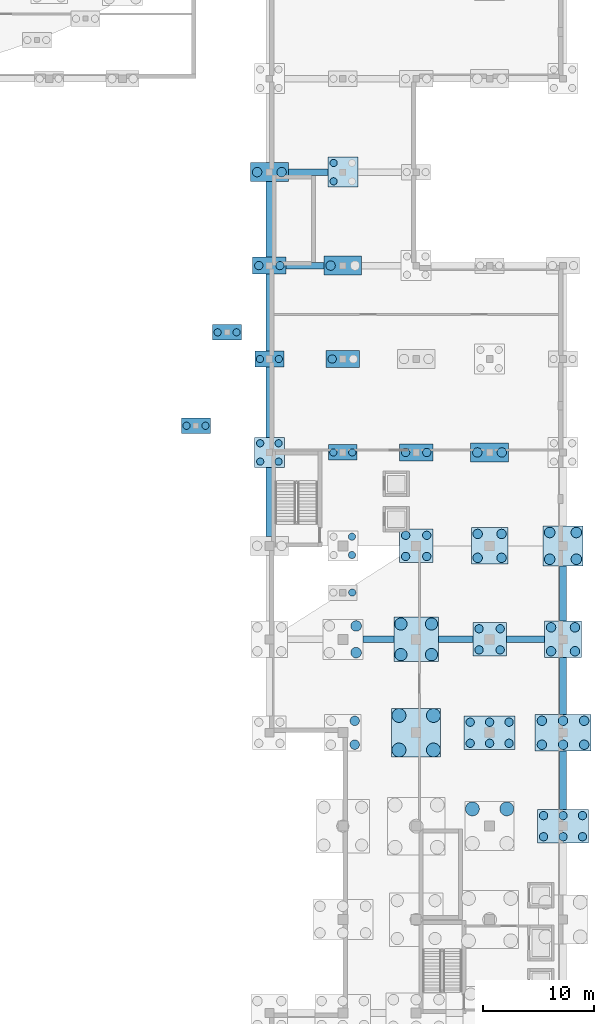
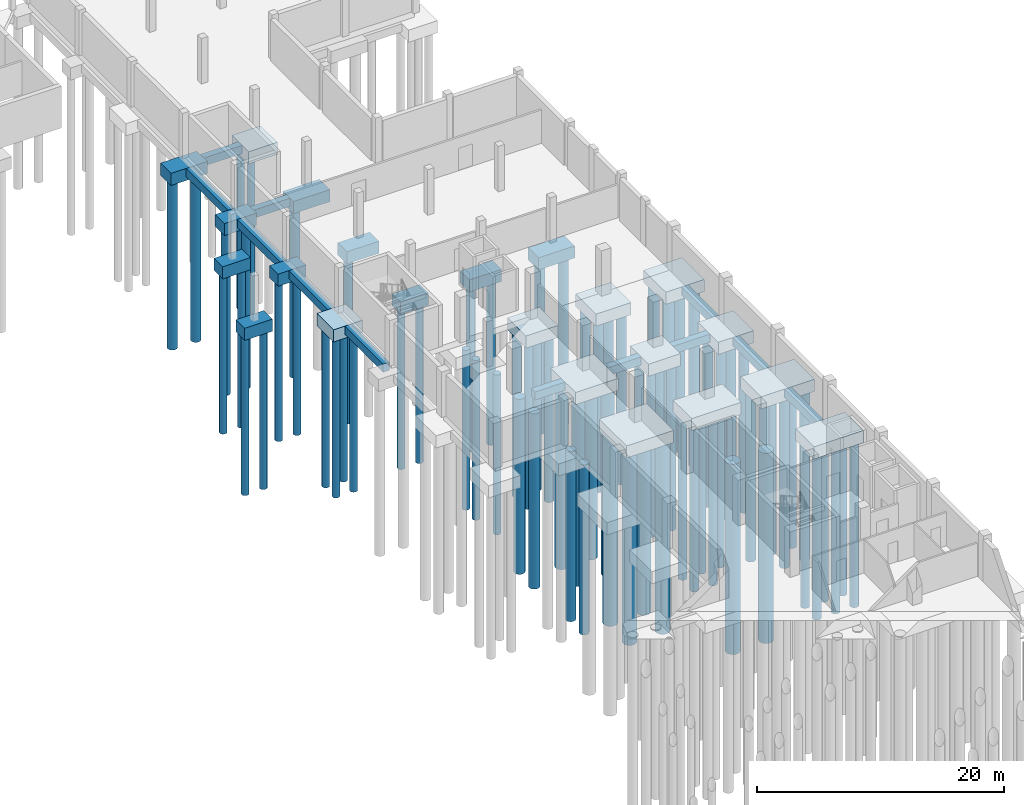
# One storey, part 7 of 25: 79 piles, 34 footings.
"""IFC4 building model written with IfcOpenShell, lengths in metres."""

import ifcopenshell
import ifcopenshell.guid

model = None  # the IFC model being written
_history = None  # IfcOwnerHistory: only IFC2X3 demands one
_inside = {}  # id of a spatial element -> (the spatial element, [elements in it])
_under = {}  # id of a project, library or spatial element -> (it, [spatial elements below it])
_declared = {}  # id of a project -> (the project, [libraries it declares])
_typed = {}  # id of a type object -> (the type object, [elements of that type])
_made_of = {}  # id of a material, layer set ... -> (it, [elements and type objects made of it])


def new_model(schema):
    """Start an empty IFC model of exactly this schema.

    Asked for "IFC4X3", IfcOpenShell would pick the latest addendum, in which some entities
    have other attributes; the version numbers below select the first issue.
    IFC2X3 requires an IfcOwnerHistory on every rooted entity: one is made here for all.
    """
    global model, _history
    if schema == "IFC4X3":
        model = ifcopenshell.file(schema_version=(4, 3, 0, 0))
    else:
        model = ifcopenshell.file(schema=schema)
    _inside.clear()
    _under.clear()
    _declared.clear()
    _typed.clear()
    _made_of.clear()
    _history = None
    if model.schema == "IFC2X3":
        org = make("IfcOrganization", Name="unknown")
        user = make(
            "IfcPersonAndOrganization",
            ThePerson=make("IfcPerson", FamilyName="unknown"),
            TheOrganization=org,
        )
        app = make(
            "IfcApplication",
            ApplicationDeveloper=org,
            Version="unknown",
            ApplicationFullName="unknown",
            ApplicationIdentifier="unknown",
        )
        _history = make(
            "IfcOwnerHistory",
            OwningUser=user,
            OwningApplication=app,
            ChangeAction="ADDED",
            CreationDate=0,
        )
    return model


def make(cls, **values):
    """One entity of the class cls with the attributes given. An attribute that is None is left unset."""
    return model.create_entity(
        cls, **{name: value for name, value in values.items() if value is not None}
    )


def rooted(cls, **values):
    """An entity with a GlobalId (a new one), such as an element, a storey or a relation."""
    return make(cls, GlobalId=ifcopenshell.guid.new(), OwnerHistory=_history, **values)


def si_unit(unit_type, name, prefix=None):
    """IfcSIUnit, for example si_unit("LENGTHUNIT", "METRE", prefix="MILLI")."""
    return make("IfcSIUnit", UnitType=unit_type, Prefix=prefix, Name=name)


def assignment(units):
    """IfcUnitAssignment: the units of a project."""
    return None if units is None else make("IfcUnitAssignment", Units=units)


def point(xyz):
    """IfcCartesianPoint."""
    return None if xyz is None else make("IfcCartesianPoint", Coordinates=xyz)


def direction(xyz):
    """IfcDirection."""
    return None if xyz is None else make("IfcDirection", DirectionRatios=xyz)


def frame(location, z_axis=None, x_axis=None):
    """IfcAxis2Placement3D, a coordinate frame: its origin and axes. An axis left out is left unset."""
    return make(
        "IfcAxis2Placement3D",
        Location=point(location),
        Axis=direction(z_axis),
        RefDirection=direction(x_axis),
    )


def frame_2d(location, x_axis=None):
    """IfcAxis2Placement2D, a coordinate frame in the plane: its origin and x axis."""
    return make(
        "IfcAxis2Placement2D", Location=point(location), RefDirection=direction(x_axis)
    )


def origin():
    """The frame at (0, 0, 0) with its axes left unset."""
    return frame((0.0, 0.0, 0.0))


def origin_2d():
    """The frame at (0, 0) in the plane with its x axis left unset."""
    return frame_2d((0.0, 0.0))


def place(relative_to, where):
    """IfcLocalPlacement: puts the frame where relative to a parent placement (None: the world)."""
    return make(
        "IfcLocalPlacement", PlacementRelTo=relative_to, RelativePlacement=where
    )


def context(
    kind, dimensions, precision=None, world=None, true_north=None, identifier=None
):
    """IfcGeometricRepresentationContext, for example the 3D "Model" context."""
    return make(
        "IfcGeometricRepresentationContext",
        ContextIdentifier=identifier,
        ContextType=kind,
        CoordinateSpaceDimension=dimensions,
        Precision=precision,
        WorldCoordinateSystem=world,
        TrueNorth=true_north,
    )


def subcontext(parent, identifier, kind, view, scale=None):
    """IfcGeometricRepresentationSubContext, for example "Body" below "Model"."""
    return make(
        "IfcGeometricRepresentationSubContext",
        ContextIdentifier=identifier,
        ContextType=kind,
        ParentContext=parent,
        TargetScale=scale,
        TargetView=view,
    )


def project(units=None, contexts=None):
    """IfcProject with its units and contexts."""
    return rooted(
        "IfcProject",
        Name="project",
        RepresentationContexts=contexts,
        UnitsInContext=assignment(units),
    )


def spatial(cls, under=None, at=None, **own):
    """A site, building, storey or space (cls), placed at a placement, below another one or the project."""
    s = rooted(cls, ObjectPlacement=at, **own)
    if under is not None:
        _under.setdefault(under.id(), (under, []))[1].append(s)
    return s


def profile(cls, at=None, kind="AREA", **sizes):
    """A parametric profile (cls). Its sizes go by their IFC names, for example OverallWidth=200.0."""
    return make(cls, ProfileType=kind, Position=at, **sizes)


def rectangle(**sizes):
    """IfcRectangleProfileDef."""
    return profile("IfcRectangleProfileDef", **sizes)


def circle(**sizes):
    """IfcCircleProfileDef."""
    return profile("IfcCircleProfileDef", **sizes)


def extrude(swept, where, along, depth):
    """IfcExtrudedAreaSolid: the profile swept, set in the frame where, extruded along a direction by depth."""
    return make(
        "IfcExtrudedAreaSolid",
        SweptArea=swept,
        Position=where,
        ExtrudedDirection=direction(along),
        Depth=depth,
    )


def shape(context_of_items, identifier, shape_type, items):
    """IfcShapeRepresentation: the items that make up one representation, for example the "Body"."""
    return make(
        "IfcShapeRepresentation",
        ContextOfItems=context_of_items,
        RepresentationIdentifier=identifier,
        RepresentationType=shape_type,
        Items=items,
    )


def material(Name=None, Category=None):
    """IfcMaterial."""
    return make("IfcMaterial", Name=Name, Category=Category)


def layer(
    of_material, thickness, ventilated=None, Name=None, Category=None, Priority=None
):
    """IfcMaterialLayer: one layer of a wall or slab, of a material (None: an air gap)."""
    return make(
        "IfcMaterialLayer",
        Material=of_material,
        LayerThickness=thickness,
        IsVentilated=ventilated,
        Name=Name,
        Category=Category,
        Priority=Priority,
    )


def layer_set(layers, Name=None):
    """IfcMaterialLayerSet."""
    return make("IfcMaterialLayerSet", MaterialLayers=layers, LayerSetName=Name)


def material_profile(
    of_material, cross_section, Name=None, Category=None, Priority=None
):
    """IfcMaterialProfile: a cross section and its material."""
    return make(
        "IfcMaterialProfile",
        Name=Name,
        Material=of_material,
        Profile=cross_section,
        Priority=Priority,
        Category=Category,
    )


def profile_set(profiles, Name=None, composite=None):
    """IfcMaterialProfileSet."""
    return make(
        "IfcMaterialProfileSet",
        Name=Name,
        MaterialProfiles=profiles,
        CompositeProfile=composite,
    )


def made_of(thing, what):
    """Note that an element or type object is made of a material, layer set ...; save() writes the relation."""
    if what is not None:
        _made_of.setdefault(what.id(), (what, []))[1].append(thing)
    return thing


def type_object(cls, material=None, **own):
    """A type object (cls), such as IfcWallType, which elements share."""
    return made_of(rooted(cls, **own), material)


def element(
    cls,
    number,
    at=None,
    inside=None,
    cuts=None,
    type_object=None,
    material=None,
    context=None,
    identifier="Body",
    shape_type=None,
    held_by="IfcProductDefinitionShape",
    body=None,
    shapes=None,
    **own,
):
    """One element of the class cls, such as IfcWall. Its Tag is "e" and its number.

    at: its placement. inside: the storey or other place that contains it. cuts: it is an
    opening in that element (IfcRelVoidsElement). A single representation is given by context,
    identifier, shape_type and body (its items); several are given by shapes. held_by: the class
    of the entity that holds the representations. save() writes the other relations.
    """
    e = rooted(cls, Tag="e%d" % number, ObjectPlacement=at, **own)
    if body is not None:
        shapes = [shape(context, identifier, shape_type, body)]
    if shapes is not None:
        e.Representation = make(held_by, Representations=shapes)
    if inside is not None:
        _inside.setdefault(inside.id(), (inside, []))[1].append(e)
    if cuts is not None:
        rooted(
            "IfcRelVoidsElement", RelatingBuildingElement=cuts, RelatedOpeningElement=e
        )
    if type_object is not None:
        _typed.setdefault(type_object.id(), (type_object, []))[1].append(e)
    return made_of(e, material)


def aggregate(whole, parts):
    """IfcRelAggregates: a whole, such as a stair, and the parts it consists of."""
    return rooted("IfcRelAggregates", RelatingObject=whole, RelatedObjects=parts)


def save(model, path):
    """Write the relations noted so far, then the file.

    IfcRelAggregates (storeys below a building ...), IfcRelContainedInSpatialStructure (elements
    in a storey), IfcRelDefinesByType, IfcRelAssociatesMaterial and IfcRelDeclares: one each for
    every whole, place, type object, material and project.
    """
    for whole, parts in _under.values():
        aggregate(whole, parts)
    for where, things in _inside.values():
        rooted(
            "IfcRelContainedInSpatialStructure",
            RelatedElements=things,
            RelatingStructure=where,
        )
    for kind, things in _typed.values():
        rooted("IfcRelDefinesByType", RelatedObjects=things, RelatingType=kind)
    for what, things in _made_of.values():
        rooted("IfcRelAssociatesMaterial", RelatedObjects=things, RelatingMaterial=what)
    for by, libraries in _declared.values():
        rooted("IfcRelDeclares", RelatingContext=by, RelatedDefinitions=libraries)
    model.write(path)


model = new_model("IFC4")

# Units and contexts
model_context = context("Model", 3, precision=1e-05, world=origin(), true_north=direction((0.0, 1.0)))
body_context = subcontext(model_context, "Body", "Model", "MODEL_VIEW")
ifc_project = project(units=[si_unit("LENGTHUNIT", "METRE"), si_unit("AREAUNIT", "SQUARE_METRE"), si_unit("VOLUMEUNIT", "CUBIC_METRE"), si_unit("PLANEANGLEUNIT", "RADIAN"), si_unit("MASSUNIT", "GRAM", prefix="KILO")], contexts=[model_context])

# Site, building, storey
site_placement = place(None, origin())
site = spatial("IfcSite", under=ifc_project, at=site_placement, CompositionType="ELEMENT")
building_placement = place(site_placement, origin())
building = spatial("IfcBuilding", under=site, at=building_placement, Name="Qaldarim Faculty of Natural and Applied Sciences", CompositionType="ELEMENT")
storey_placement = place(building_placement, frame((0.0, 0.0, -4.5)))
storey = spatial("IfcBuildingStorey", under=building, at=storey_placement, Name="B01", CompositionType="ELEMENT", Elevation=-4.5)

# Piles
ifc_material = material(Name="Concrete C40/50", Category="concrete")
ifc_material_profile_1 = material_profile(ifc_material, circle(Radius=0.550048828125, at=origin_2d()), Name="PILE-D1100")
ifc_profile_set_1 = profile_set([ifc_material_profile_1], Name="Concrete C40/50")
pile_type_1 = type_object("IfcPileType", Name="BoredPile-D1100-L18300", PredefinedType="BORED", material=ifc_profile_set_1)
for number, where, z_axis, x_axis, name in (
    (1, (163.625, 49.02490234375, -1.699951171875), (0.0, 0.0, -1.0), (1.0, 0.0, 0.0), "Bored pile PL05 1 under FTG-PC08-X26Y07"),
    (2, (163.625, 51.77490234375, -1.699951171875), (0.0, 0.0, -1.0), (1.0, 0.0, 0.0), "Bored pile PL05 2 under FTG-PC08-X26Y07"),
    (3, (166.375, 49.02490234375, -1.699951171875), (0.0, 0.0, -1.0), (1.0, 0.0, 0.0), "Bored pile PL05 3 under FTG-PC08-X26Y07"),
    (4, (166.375, 51.77490234375, -1.699951171875), (0.0, 0.0, -1.0), (1.0, 0.0, 0.0), "Bored pile PL05 4 under FTG-PC08-X26Y07"),
):
    element("IfcPile", number, at=place(storey_placement, frame(where, z_axis=z_axis, x_axis=x_axis)), inside=storey, type_object=pile_type_1, Name=name, PredefinedType="BORED", context=body_context, shape_type="SweptSolid", body=[
        extrude(circle(Radius=0.550048828125, at=origin_2d()), origin(), (0.0, 0.0, 1.0), 18.300048828125),
    ])
ifc_material_profile_2 = material_profile(ifc_material, circle(Radius=0.625, at=origin_2d()), Name="PILE-D1250")
ifc_profile_set_2 = profile_set([ifc_material_profile_2], Name="Concrete C40/50")
pile_type_2 = type_object("IfcPileType", Name="BoredPile-D1250-L18800", PredefinedType="BORED", material=ifc_profile_set_2)
for number, where, z_axis, x_axis, name in (
    (5, (163.449951171875, 40.449951171875, -1.699951171875), (0.0, 0.0, -1.0), (1.0, 0.0, 0.0), "Bored pile PL06 1 under FTG-PC09-X26Y06"),
    (6, (163.449951171875, 43.550048828125, -1.699951171875), (0.0, 0.0, -1.0), (1.0, 0.0, 0.0), "Bored pile PL06 2 under FTG-PC09-X26Y06"),
    (7, (166.550048828125, 40.449951171875, -1.699951171875), (0.0, 0.0, -1.0), (1.0, 0.0, 0.0), "Bored pile PL06 3 under FTG-PC09-X26Y06"),
    (8, (166.550048828125, 43.550048828125, -1.699951171875), (0.0, 0.0, -1.0), (1.0, 0.0, 0.0), "Bored pile PL06 4 under FTG-PC09-X26Y06"),
    (9, (170.050048828125, 35.14990234375, -1.699951171875), (0.0, 0.0, -1.0), (1.0, 0.0, 0.0), "Bored pile PL06 2 under FTG-PC09-X27Y05"),
    (10, (173.14990234375, 35.14990234375, -1.699951171875), (0.0, 0.0, -1.0), (1.0, 0.0, 0.0), "Bored pile PL06 4 under FTG-PC09-X27Y05"),
):
    element("IfcPile", number, at=place(storey_placement, frame(where, z_axis=z_axis, x_axis=x_axis)), inside=storey, type_object=pile_type_2, Name=name, PredefinedType="BORED", context=body_context, shape_type="SweptSolid", body=[
        extrude(circle(Radius=0.625, at=origin_2d()), origin(), (0.0, 0.0, 1.0), 18.800048828125),
    ])
ifc_material_profile_3 = material_profile(ifc_material, circle(Radius=0.324951171875, at=origin_2d()), Name="PILE-D650")
ifc_profile_set_3 = profile_set([ifc_material_profile_3], Name="Concrete C40/50")
pile_type_3 = type_object("IfcPileType", Name="BoredPile-D650-L15800", PredefinedType="BORED", material=ifc_profile_set_3)
for number, where, z_axis, x_axis, name in (
    (11, (150.97509765625, 66.375, -1.699951171875), (0.0, 0.0, -1.0), (1.0, 0.0, 0.0), "Bored pile PL01 1 under FTG-PC04-X24Y09"),
    (12, (150.97509765625, 68.02490234375, -1.699951171875), (0.0, 0.0, -1.0), (1.0, 0.0, 0.0), "Bored pile PL01 2 under FTG-PC04-X24Y09"),
    (13, (152.625, 66.375, -1.699951171875), (0.0, 0.0, -1.0), (1.0, 0.0, 0.0), "Bored pile PL01 3 under FTG-PC04-X24Y09"),
    (14, (152.625, 68.02490234375, -1.699951171875), (0.0, 0.0, -1.0), (1.0, 0.0, 0.0), "Bored pile PL01 4 under FTG-PC04-X24Y09"),
    (15, (150.949951171875, 75.60009765625, -1.699951171875), (0.0, 0.0, -1.0), (1.0, 0.0, 0.0), "Bored pile PL01 1 under FTG-PC01-X24Y10"),
    (16, (152.64990234375, 75.60009765625, -1.699951171875), (0.0, 0.0, -1.0), (1.0, 0.0, 0.0), "Bored pile PL01 2 under FTG-PC01-X24Y10"),
    (17, (159.22509765625, 57.97509765625, -1.699951171875), (0.0, 0.0, -1.0), (1.0, 0.0, 0.0), "Bored pile PL01 3 under FTG-PC04-X25Y08"),
    (18, (159.22509765625, 59.625, -1.699951171875), (0.0, 0.0, -1.0), (1.0, 0.0, 0.0), "Bored pile PL01 4 under FTG-PC04-X25Y08"),
    (19, (157.550048828125, 67.199951171875, -1.699951171875), (0.0, 0.0, -1.0), (1.0, 0.0, 0.0), "Bored pile PL01 1 under FTG-PC01-X25Y09"),
    (20, (159.25, 67.199951171875, -1.699951171875), (0.0, 0.0, -1.0), (1.0, 0.0, 0.0), "Bored pile PL01 2 under FTG-PC01-X25Y09"),
    (21, (157.574951171875, 91.574951171875, -1.699951171875), (0.0, 0.0, -1.0), (1.0, 0.0, 0.0), "Bored pile PL01 1 under FTG-PC04-X25Y12"),
    (22, (157.574951171875, 93.22509765625, -1.699951171875), (0.0, 0.0, -1.0), (1.0, 0.0, 0.0), "Bored pile PL01 2 under FTG-PC04-X25Y12"),
    (23, (159.25, 54.60009765625, -1.10009765625), (0.0, 0.0, -1.0), (1.0, 0.0, 0.0), "Bored pile PL01 2 under FTG-SPC-V5-NW6"),
    (24, (144.35009765625, 69.60009765625, -1.10009765625), (0.0, 0.0, -1.0), (1.0, 0.0, 0.0), "Bored pile PL01 1 under FTG-SPC-V3-PRW-S"),
    (25, (146.050048828125, 69.60009765625, -1.10009765625), (0.0, 0.0, -1.0), (1.0, 0.0, 0.0), "Bored pile PL01 2 under FTG-SPC-V3-PRW-S"),
    (26, (147.14990234375, 78.0, -1.10009765625), (0.0, 0.0, -1.0), (1.0, 0.0, 0.0), "Bored pile PL01 1 under FTG-SPC-V3-PRW-N"),
    (27, (148.85009765625, 78.0, -1.10009765625), (0.0, 0.0, -1.0), (1.0, 0.0, 0.0), "Bored pile PL01 2 under FTG-SPC-V3-PRW-N"),
):
    element("IfcPile", number, at=place(storey_placement, frame(where, z_axis=z_axis, x_axis=x_axis)), inside=storey, type_object=pile_type_3, Name=name, PredefinedType="BORED", context=body_context, shape_type="SweptSolid", body=[
        extrude(circle(Radius=0.324951171875, at=origin_2d()), origin(), (0.0, 0.0, 1.0), 15.800048828125),
    ])
ifc_material_profile_4 = material_profile(ifc_material, circle(Radius=0.375, at=origin_2d()), Name="PILE-D750")
ifc_profile_set_4 = profile_set([ifc_material_profile_4], Name="Concrete C40/50")
pile_type_4 = type_object("IfcPileType", Name="BoredPile-D750-L16300", PredefinedType="BORED", material=ifc_profile_set_4)
for number, where, z_axis, x_axis, name in (
    (28, (150.85009765625, 84.0, -1.699951171875), (0.0, 0.0, -1.0), (1.0, 0.0, 0.0), "Bored pile PL02 1 under FTG-PC02-X24Y11"),
    (29, (152.75, 84.0, -1.699951171875), (0.0, 0.0, -1.0), (1.0, 0.0, 0.0), "Bored pile PL02 2 under FTG-PC02-X24Y11"),
    (30, (157.449951171875, 75.60009765625, -1.699951171875), (0.0, 0.0, -1.0), (1.0, 0.0, 0.0), "Bored pile PL02 1 under FTG-PC02-X25Y10"),
    (31, (164.050048828125, 57.85009765625, -1.699951171875), (0.0, 0.0, -1.0), (1.0, 0.0, 0.0), "Bored pile PL02 1 under FTG-PC05-X26Y08"),
    (32, (164.050048828125, 59.75, -1.699951171875), (0.0, 0.0, -1.0), (1.0, 0.0, 0.0), "Bored pile PL02 2 under FTG-PC05-X26Y08"),
    (33, (165.949951171875, 57.85009765625, -1.699951171875), (0.0, 0.0, -1.0), (1.0, 0.0, 0.0), "Bored pile PL02 3 under FTG-PC05-X26Y08"),
    (34, (165.949951171875, 59.75, -1.699951171875), (0.0, 0.0, -1.0), (1.0, 0.0, 0.0), "Bored pile PL02 4 under FTG-PC05-X26Y08"),
    (35, (164.050048828125, 67.199951171875, -1.699951171875), (0.0, 0.0, -1.0), (1.0, 0.0, 0.0), "Bored pile PL02 1 under FTG-PC02-X26Y09"),
    (36, (165.949951171875, 67.199951171875, -1.699951171875), (0.0, 0.0, -1.0), (1.0, 0.0, 0.0), "Bored pile PL02 2 under FTG-PC02-X26Y09"),
    (37, (169.85009765625, 41.050048828125, -1.699951171875), (0.0, 0.0, -1.0), (1.0, 0.0, 0.0), "Bored pile PL02 1 under FTG-PC10-X27Y06"),
    (38, (171.60009765625, 41.050048828125, -1.699951171875), (0.0, 0.0, -1.0), (1.0, 0.0, 0.0), "Bored pile PL02 2 under FTG-PC10-X27Y06"),
    (39, (173.35009765625, 41.050048828125, -1.699951171875), (0.0, 0.0, -1.0), (1.0, 0.0, 0.0), "Bored pile PL02 3 under FTG-PC10-X27Y06"),
    (40, (169.85009765625, 42.949951171875, -1.699951171875), (0.0, 0.0, -1.0), (1.0, 0.0, 0.0), "Bored pile PL02 4 under FTG-PC10-X27Y06"),
    (41, (171.60009765625, 42.949951171875, -1.699951171875), (0.0, 0.0, -1.0), (1.0, 0.0, 0.0), "Bored pile PL02 5 under FTG-PC10-X27Y06"),
    (42, (173.35009765625, 42.949951171875, -1.699951171875), (0.0, 0.0, -1.0), (1.0, 0.0, 0.0), "Bored pile PL02 6 under FTG-PC10-X27Y06"),
    (43, (170.64990234375, 49.449951171875, -1.699951171875), (0.0, 0.0, -1.0), (1.0, 0.0, 0.0), "Bored pile PL02 1 under FTG-PC05-X27Y07"),
    (44, (170.64990234375, 51.35009765625, -1.699951171875), (0.0, 0.0, -1.0), (1.0, 0.0, 0.0), "Bored pile PL02 2 under FTG-PC05-X27Y07"),
    (45, (172.550048828125, 49.449951171875, -1.699951171875), (0.0, 0.0, -1.0), (1.0, 0.0, 0.0), "Bored pile PL02 3 under FTG-PC05-X27Y07"),
    (46, (172.550048828125, 51.35009765625, -1.699951171875), (0.0, 0.0, -1.0), (1.0, 0.0, 0.0), "Bored pile PL02 4 under FTG-PC05-X27Y07"),
    (47, (176.449951171875, 32.64990234375, -1.699951171875), (0.0, 0.0, -1.0), (1.0, 0.0, 0.0), "Bored pile PL02 1 under FTG-PC10-X28Y05"),
    (48, (178.199951171875, 32.64990234375, -1.699951171875), (0.0, 0.0, -1.0), (1.0, 0.0, 0.0), "Bored pile PL02 2 under FTG-PC10-X28Y05"),
    (49, (179.949951171875, 32.64990234375, -1.699951171875), (0.0, 0.0, -1.0), (1.0, 0.0, 0.0), "Bored pile PL02 3 under FTG-PC10-X28Y05"),
    (50, (176.449951171875, 34.550048828125, -1.699951171875), (0.0, 0.0, -1.0), (1.0, 0.0, 0.0), "Bored pile PL02 4 under FTG-PC10-X28Y05"),
    (51, (178.199951171875, 34.550048828125, -1.699951171875), (0.0, 0.0, -1.0), (1.0, 0.0, 0.0), "Bored pile PL02 5 under FTG-PC10-X28Y05"),
    (52, (179.949951171875, 34.550048828125, -1.699951171875), (0.0, 0.0, -1.0), (1.0, 0.0, 0.0), "Bored pile PL02 6 under FTG-PC10-X28Y05"),
):
    element("IfcPile", number, at=place(storey_placement, frame(where, z_axis=z_axis, x_axis=x_axis)), inside=storey, type_object=pile_type_4, Name=name, PredefinedType="BORED", context=body_context, shape_type="SweptSolid", body=[
        extrude(circle(Radius=0.375, at=origin_2d()), origin(), (0.0, 0.0, 1.0), 16.300048828125),
    ])
ifc_material_profile_5 = material_profile(ifc_material, circle(Radius=0.425048828125, at=origin_2d()), Name="PILE-D850")
ifc_profile_set_5 = profile_set([ifc_material_profile_5], Name="Concrete C40/50")
pile_type_5 = type_object("IfcPileType", Name="BoredPile-D850-L16800", PredefinedType="BORED", material=ifc_profile_set_5)
for number, where, z_axis, x_axis, name in (
    (53, (150.699951171875, 92.39990234375, -1.699951171875), (0.0, 0.0, -1.0), (1.0, 0.0, 0.0), "Bored pile PL03 1 under FTG-PC03-X24Y12"),
    (54, (152.89990234375, 92.39990234375, -1.699951171875), (0.0, 0.0, -1.0), (1.0, 0.0, 0.0), "Bored pile PL03 2 under FTG-PC03-X24Y12"),
    (55, (159.47509765625, 40.925048828125, -1.699951171875), (0.0, 0.0, -1.0), (1.0, 0.0, 0.0), "Bored pile PL03 3 under FTG-PC06-X25Y06"),
    (56, (159.47509765625, 43.074951171875, -1.699951171875), (0.0, 0.0, -1.0), (1.0, 0.0, 0.0), "Bored pile PL03 4 under FTG-PC06-X25Y06"),
    (57, (157.300048828125, 84.0, -1.699951171875), (0.0, 0.0, -1.0), (1.0, 0.0, 0.0), "Bored pile PL03 1 under FTG-PC03-X25Y11"),
    (58, (170.52490234375, 57.72509765625, -1.699951171875), (0.0, 0.0, -1.0), (1.0, 0.0, 0.0), "Bored pile PL03 1 under FTG-PC06-X27Y08"),
    (59, (170.52490234375, 59.875, -1.699951171875), (0.0, 0.0, -1.0), (1.0, 0.0, 0.0), "Bored pile PL03 2 under FTG-PC06-X27Y08"),
    (60, (172.675048828125, 57.72509765625, -1.699951171875), (0.0, 0.0, -1.0), (1.0, 0.0, 0.0), "Bored pile PL03 3 under FTG-PC06-X27Y08"),
    (61, (172.675048828125, 59.875, -1.699951171875), (0.0, 0.0, -1.0), (1.0, 0.0, 0.0), "Bored pile PL03 4 under FTG-PC06-X27Y08"),
    (62, (170.5, 67.199951171875, -1.699951171875), (0.0, 0.0, -1.0), (1.0, 0.0, 0.0), "Bored pile PL03 1 under FTG-PC03-X27Y09"),
    (63, (172.699951171875, 67.199951171875, -1.699951171875), (0.0, 0.0, -1.0), (1.0, 0.0, 0.0), "Bored pile PL03 2 under FTG-PC03-X27Y09"),
    (64, (176.300048828125, 40.925048828125, -1.699951171875), (0.0, 0.0, -1.0), (1.0, 0.0, 0.0), "Bored pile PL03 1 under FTG-PC11-X28Y06"),
    (65, (178.199951171875, 40.925048828125, -1.699951171875), (0.0, 0.0, -1.0), (1.0, 0.0, 0.0), "Bored pile PL03 2 under FTG-PC11-X28Y06"),
    (66, (180.10009765625, 40.925048828125, -1.699951171875), (0.0, 0.0, -1.0), (1.0, 0.0, 0.0), "Bored pile PL03 3 under FTG-PC11-X28Y06"),
    (67, (176.300048828125, 43.074951171875, -1.699951171875), (0.0, 0.0, -1.0), (1.0, 0.0, 0.0), "Bored pile PL03 4 under FTG-PC11-X28Y06"),
    (68, (178.199951171875, 43.074951171875, -1.699951171875), (0.0, 0.0, -1.0), (1.0, 0.0, 0.0), "Bored pile PL03 5 under FTG-PC11-X28Y06"),
    (69, (180.10009765625, 43.074951171875, -1.699951171875), (0.0, 0.0, -1.0), (1.0, 0.0, 0.0), "Bored pile PL03 6 under FTG-PC11-X28Y06"),
    (70, (177.125, 49.324951171875, -1.699951171875), (0.0, 0.0, -1.0), (1.0, 0.0, 0.0), "Bored pile PL03 1 under FTG-PC06-X28Y07"),
    (71, (177.125, 51.47509765625, -1.699951171875), (0.0, 0.0, -1.0), (1.0, 0.0, 0.0), "Bored pile PL03 2 under FTG-PC06-X28Y07"),
    (72, (179.27490234375, 49.324951171875, -1.699951171875), (0.0, 0.0, -1.0), (1.0, 0.0, 0.0), "Bored pile PL03 3 under FTG-PC06-X28Y07"),
    (73, (179.27490234375, 51.47509765625, -1.699951171875), (0.0, 0.0, -1.0), (1.0, 0.0, 0.0), "Bored pile PL03 4 under FTG-PC06-X28Y07"),
):
    element("IfcPile", number, at=place(storey_placement, frame(where, z_axis=z_axis, x_axis=x_axis)), inside=storey, type_object=pile_type_5, Name=name, PredefinedType="BORED", context=body_context, shape_type="SweptSolid", body=[
        extrude(circle(Radius=0.425048828125, at=origin_2d()), origin(), (0.0, 0.0, 1.0), 16.800048828125),
    ])
ifc_material_profile_6 = material_profile(ifc_material, circle(Radius=0.47509765625, at=origin_2d()), Name="PILE-D950")
ifc_profile_set_6 = profile_set([ifc_material_profile_6], Name="Concrete C40/50")
pile_type_6 = type_object("IfcPileType", Name="BoredPile-D950-L17300", PredefinedType="BORED", material=ifc_profile_set_6)
for number, where, z_axis, x_axis, name in (
    (74, (159.60009765625, 49.199951171875, -1.699951171875), (0.0, 0.0, -1.0), (1.0, 0.0, 0.0), "Bored pile PL04 3 under FTG-PC07-X25Y07"),
    (75, (159.60009765625, 51.60009765625, -1.699951171875), (0.0, 0.0, -1.0), (1.0, 0.0, 0.0), "Bored pile PL04 4 under FTG-PC07-X25Y07"),
    (76, (177.0, 57.60009765625, -1.699951171875), (0.0, 0.0, -1.0), (1.0, 0.0, 0.0), "Bored pile PL04 1 under FTG-PC07-X28Y08"),
    (77, (177.0, 60.0, -1.699951171875), (0.0, 0.0, -1.0), (1.0, 0.0, 0.0), "Bored pile PL04 2 under FTG-PC07-X28Y08"),
    (78, (179.39990234375, 57.60009765625, -1.699951171875), (0.0, 0.0, -1.0), (1.0, 0.0, 0.0), "Bored pile PL04 3 under FTG-PC07-X28Y08"),
    (79, (179.39990234375, 60.0, -1.699951171875), (0.0, 0.0, -1.0), (1.0, 0.0, 0.0), "Bored pile PL04 4 under FTG-PC07-X28Y08"),
):
    element("IfcPile", number, at=place(storey_placement, frame(where, z_axis=z_axis, x_axis=x_axis)), inside=storey, type_object=pile_type_6, Name=name, PredefinedType="BORED", context=body_context, shape_type="SweptSolid", body=[
        extrude(circle(Radius=0.47509765625, at=origin_2d()), origin(), (0.0, 0.0, 1.0), 17.300048828125),
    ])

# Footings
ifc_layer_1 = layer(ifc_material, 1.199951171875)
ifc_layer_set_1 = layer_set([ifc_layer_1], Name="Concrete C40/50")
footing_type_1 = type_object("IfcFootingType", Name="FoundationCap-2600x1400x1200-2P650", PredefinedType="PILE_CAP", material=ifc_layer_set_1)
for number, where, z_axis, x_axis, name in (
    (80, (151.800048828125, 75.60009765625, -1.7998046875), (0.0, 0.0, 1.0), (1.0, 0.0, 0.0), "Pile cap PC01 at X24/Y10"),
    (81, (158.39990234375, 67.199951171875, -1.7998046875), (0.0, 0.0, 1.0), (1.0, 0.0, 0.0), "Pile cap PC01 at X25/Y09"),
    (82, (145.199951171875, 69.60009765625, -1.2001953125), (0.0, 0.0, 1.0), (1.0, 0.0, 0.0), "Pile cap V3-PRW-S"),
    (83, (148.0, 78.0, -1.2001953125), (0.0, 0.0, 1.0), (1.0, 0.0, 0.0), "Pile cap V3-PRW-N"),
):
    element("IfcFooting", number, at=place(storey_placement, frame(where, z_axis=z_axis, x_axis=x_axis)), inside=storey, type_object=footing_type_1, Name=name, PredefinedType="PILE_CAP", context=body_context, shape_type="SweptSolid", body=[
        extrude(rectangle(XDim=2.60009765625, YDim=1.39990234375, at=origin_2d()), origin(), (0.0, 0.0, 1.0), 1.199951171875),
    ])
ifc_layer_2 = layer(ifc_material, 1.199951171875)
ifc_layer_set_2 = layer_set([ifc_layer_2], Name="Concrete C40/50")
footing_type_2 = type_object("IfcFootingType", Name="FoundationCap-2700x2700x1200-4P650", PredefinedType="PILE_CAP", material=ifc_layer_set_2)
for number, where, z_axis, x_axis, name in (
    (84, (151.800048828125, 67.199951171875, -1.7998046875), (0.0, 0.0, 1.0), (1.0, 0.0, 0.0), "Pile cap PC04 at X24/Y09"),
    (85, (158.39990234375, 92.39990234375, -1.7998046875), (0.0, 0.0, 1.0), (1.0, 0.0, 0.0), "Pile cap PC04 at X25/Y12"),
):
    element("IfcFooting", number, at=place(storey_placement, frame(where, z_axis=z_axis, x_axis=x_axis)), inside=storey, type_object=footing_type_2, Name=name, PredefinedType="PILE_CAP", context=body_context, shape_type="SweptSolid", body=[
        extrude(rectangle(XDim=2.699951171875, YDim=2.699951171875, at=origin_2d()), origin(), (0.0, 0.0, 1.0), 1.199951171875),
    ])
ifc_layer_3 = layer(ifc_material, 1.199951171875)
ifc_layer_set_3 = layer_set([ifc_layer_3], Name="Concrete C40/50")
footing_type_3 = type_object("IfcFootingType", Name="FoundationCap-3000x1500x1200-2P750", PredefinedType="PILE_CAP", material=ifc_layer_set_3)
for number, where, z_axis, x_axis, name in (
    (86, (151.800048828125, 84.0, -1.7998046875), (0.0, 0.0, 1.0), (1.0, 0.0, 0.0), "Pile cap PC02 at X24/Y11"),
    (87, (158.39990234375, 75.60009765625, -1.7998046875), (0.0, 0.0, 1.0), (1.0, 0.0, 0.0), "Pile cap PC02 at X25/Y10"),
    (88, (165.0, 67.199951171875, -1.7998046875), (0.0, 0.0, 1.0), (1.0, 0.0, 0.0), "Pile cap PC02 at X26/Y09"),
):
    element("IfcFooting", number, at=place(storey_placement, frame(where, z_axis=z_axis, x_axis=x_axis)), inside=storey, type_object=footing_type_3, Name=name, PredefinedType="PILE_CAP", context=body_context, shape_type="SweptSolid", body=[
        extrude(rectangle(XDim=3.0, YDim=1.5, at=origin_2d()), origin(), (0.0, 0.0, 1.0), 1.199951171875),
    ])
ifc_layer_4 = layer(ifc_material, 1.199951171875)
ifc_layer_set_4 = layer_set([ifc_layer_4], Name="Concrete C40/50")
footing_type_4 = type_object("IfcFootingType", Name="FoundationCap-3000x3000x1200-4P750", PredefinedType="PILE_CAP", material=ifc_layer_set_4)
for number, where, z_axis, x_axis, name in (
    (89, (165.0, 58.800048828125, -1.7998046875), (0.0, 0.0, 1.0), (1.0, 0.0, 0.0), "Pile cap PC05 at X26/Y08"),
    (90, (171.60009765625, 50.39990234375, -1.7998046875), (0.0, 0.0, 1.0), (1.0, 0.0, 0.0), "Pile cap PC05 at X27/Y07"),
):
    element("IfcFooting", number, at=place(storey_placement, frame(where, z_axis=z_axis, x_axis=x_axis)), inside=storey, type_object=footing_type_4, Name=name, PredefinedType="PILE_CAP", context=body_context, shape_type="SweptSolid", body=[
        extrude(rectangle(XDim=3.0, YDim=3.0, at=origin_2d()), origin(), (0.0, 0.0, 1.0), 1.199951171875),
    ])
ifc_layer_5 = layer(ifc_material, 1.199951171875)
ifc_layer_set_5 = layer_set([ifc_layer_5], Name="Concrete C40/50")
footing_type_5 = type_object("IfcFootingType", Name="FoundationCap-3300x3300x1200-4P850", PredefinedType="PILE_CAP", material=ifc_layer_set_5)
for number, where, z_axis, x_axis, name in (
    (91, (171.60009765625, 58.800048828125, -1.7998046875), (0.0, 0.0, 1.0), (1.0, 0.0, 0.0), "Pile cap PC06 at X27/Y08"),
    (92, (178.199951171875, 50.39990234375, -1.7998046875), (0.0, 0.0, 1.0), (1.0, 0.0, 0.0), "Pile cap PC06 at X28/Y07"),
):
    element("IfcFooting", number, at=place(storey_placement, frame(where, z_axis=z_axis, x_axis=x_axis)), inside=storey, type_object=footing_type_5, Name=name, PredefinedType="PILE_CAP", context=body_context, shape_type="SweptSolid", body=[
        extrude(rectangle(XDim=3.300048828125, YDim=3.300048828125, at=origin_2d()), origin(), (0.0, 0.0, 1.0), 1.199951171875),
    ])
ifc_layer_6 = layer(ifc_material, 1.199951171875)
ifc_layer_set_6 = layer_set([ifc_layer_6], Name="Concrete C40/50")
footing_type_6 = type_object("IfcFootingType", Name="FoundationCap-3400x1700x1200-2P850", PredefinedType="PILE_CAP", material=ifc_layer_set_6)
for number, where, z_axis, x_axis, name in (
    (93, (151.800048828125, 92.39990234375, -1.7998046875), (0.0, 0.0, 1.0), (1.0, 0.0, 0.0), "Pile cap PC03 at X24/Y12"),
    (94, (158.39990234375, 84.0, -1.7998046875), (0.0, 0.0, 1.0), (1.0, 0.0, 0.0), "Pile cap PC03 at X25/Y11"),
    (95, (171.60009765625, 67.199951171875, -1.7998046875), (0.0, 0.0, 1.0), (1.0, 0.0, 0.0), "Pile cap PC03 at X27/Y09"),
):
    element("IfcFooting", number, at=place(storey_placement, frame(where, z_axis=z_axis, x_axis=x_axis)), inside=storey, type_object=footing_type_6, Name=name, PredefinedType="PILE_CAP", context=body_context, shape_type="SweptSolid", body=[
        extrude(rectangle(XDim=3.39990234375, YDim=1.699951171875, at=origin_2d()), origin(), (0.0, 0.0, 1.0), 1.199951171875),
    ])
ifc_layer_7 = layer(ifc_material, 1.199951171875)
ifc_layer_set_7 = layer_set([ifc_layer_7], Name="Concrete C40/50")
footing_type_7 = type_object("IfcFootingType", Name="FoundationCap-3600x3600x1200-4P950", PredefinedType="PILE_CAP", material=ifc_layer_set_7)
footing_1_placement = place(storey_placement, frame((178.199951171875, 58.800048828125, -1.7998046875), z_axis=(0.0, 0.0, 1.0), x_axis=(1.0, 0.0, 0.0)))
element("IfcFooting", 96, at=footing_1_placement, inside=storey, type_object=footing_type_7, Name="Pile cap PC07 at X28/Y08", PredefinedType="PILE_CAP", context=body_context, shape_type="SweptSolid", body=[
    extrude(rectangle(XDim=3.60009765625, YDim=3.60009765625, at=origin_2d()), origin(), (0.0, 0.0, 1.0), 1.199951171875),
])
ifc_layer_8 = layer(ifc_material, 1.199951171875)
ifc_layer_set_8 = layer_set([ifc_layer_8], Name="Concrete C40/50")
footing_type_8 = type_object("IfcFootingType", Name="FoundationCap-4000x4000x1200-4P1100", PredefinedType="PILE_CAP", material=ifc_layer_set_8)
footing_2_placement = place(storey_placement, frame((165.0, 50.39990234375, -1.7998046875), z_axis=(0.0, 0.0, 1.0), x_axis=(1.0, 0.0, 0.0)))
element("IfcFooting", 97, at=footing_2_placement, inside=storey, type_object=footing_type_8, Name="Pile cap PC08 at X26/Y07", PredefinedType="PILE_CAP", context=body_context, shape_type="SweptSolid", body=[
    extrude(rectangle(XDim=4.0, YDim=4.0, at=origin_2d()), origin(), (0.0, 0.0, 1.0), 1.199951171875),
])
ifc_layer_9 = layer(ifc_material, 1.199951171875)
ifc_layer_set_9 = layer_set([ifc_layer_9], Name="Concrete C40/50")
footing_type_9 = type_object("IfcFootingType", Name="FoundationCap-4400x4400x1200-4P1250", PredefinedType="PILE_CAP", material=ifc_layer_set_9)
footing_3_placement = place(storey_placement, frame((165.0, 42.0, -1.7998046875), z_axis=(0.0, 0.0, 1.0), x_axis=(1.0, 0.0, 0.0)))
element("IfcFooting", 98, at=footing_3_placement, inside=storey, type_object=footing_type_9, Name="Pile cap PC09 at X26/Y06", PredefinedType="PILE_CAP", context=body_context, shape_type="SweptSolid", body=[
    extrude(rectangle(XDim=4.39990234375, YDim=4.39990234375, at=origin_2d()), origin(), (0.0, 0.0, 1.0), 1.199951171875),
])
ifc_layer_10 = layer(ifc_material, 1.199951171875)
ifc_layer_set_10 = layer_set([ifc_layer_10], Name="Concrete C40/50")
footing_type_10 = type_object("IfcFootingType", Name="FoundationCap-4600x3000x1200-6P750", PredefinedType="PILE_CAP", material=ifc_layer_set_10)
for number, where, z_axis, x_axis, name in (
    (99, (171.60009765625, 42.0, -1.7998046875), (0.0, 0.0, 1.0), (1.0, 0.0, 0.0), "Pile cap PC10 at X27/Y06"),
    (100, (178.199951171875, 33.60009765625, -1.7998046875), (0.0, 0.0, 1.0), (1.0, 0.0, 0.0), "Pile cap PC10 at X28/Y05"),
):
    element("IfcFooting", number, at=place(storey_placement, frame(where, z_axis=z_axis, x_axis=x_axis)), inside=storey, type_object=footing_type_10, Name=name, PredefinedType="PILE_CAP", context=body_context, shape_type="SweptSolid", body=[
        extrude(rectangle(XDim=4.60009765625, YDim=3.0, at=origin_2d()), origin(), (0.0, 0.0, 1.0), 1.199951171875),
    ])
ifc_layer_11 = layer(ifc_material, 1.199951171875)
ifc_layer_set_11 = layer_set([ifc_layer_11], Name="Concrete C40/50")
footing_type_11 = type_object("IfcFootingType", Name="FoundationCap-5000x3300x1200-6P850", PredefinedType="PILE_CAP", material=ifc_layer_set_11)
footing_4_placement = place(storey_placement, frame((178.199951171875, 42.0, -1.7998046875), z_axis=(0.0, 0.0, 1.0), x_axis=(1.0, 0.0, 0.0)))
element("IfcFooting", 101, at=footing_4_placement, inside=storey, type_object=footing_type_11, Name="Pile cap PC11 at X28/Y06", PredefinedType="PILE_CAP", context=body_context, shape_type="SweptSolid", body=[
    extrude(rectangle(XDim=5.0, YDim=3.300048828125, at=origin_2d()), origin(), (0.0, 0.0, 1.0), 1.199951171875),
])
ifc_layer_12 = layer(ifc_material, 0.800048828125)
ifc_layer_set_12 = layer_set([ifc_layer_12], Name="Concrete C40/50")
footing_type_12 = type_object("IfcFootingType", Name="FoundationTie-2800x600x800", PredefinedType="STRIP_FOOTING", material=ifc_layer_set_12)
footing_5_placement = place(storey_placement, frame((161.60009765625, 50.39990234375, -1.39990234375), z_axis=(0.0, 0.0, 1.0), x_axis=(1.0, 0.0, 0.0)))
element("IfcFooting", 102, at=footing_5_placement, inside=storey, type_object=footing_type_12, Name="Strip footing SF13 X25Y07", PredefinedType="STRIP_FOOTING", context=body_context, shape_type="SweptSolid", body=[
    extrude(rectangle(XDim=2.800048828125, YDim=0.60009765625, at=origin_2d()), origin(), (0.0, 0.0, 1.0), 0.800048828125),
])
ifc_layer_13 = layer(ifc_material, 0.800048828125)
ifc_layer_set_13 = layer_set([ifc_layer_13], Name="Concrete C40/50")
footing_type_13 = type_object("IfcFootingType", Name="FoundationTie-3100x600x800", PredefinedType="STRIP_FOOTING", material=ifc_layer_set_13)
footing_6_placement = place(storey_placement, frame((168.550048828125, 50.39990234375, -1.39990234375), z_axis=(0.0, 0.0, 1.0), x_axis=(1.0, 0.0, 0.0)))
element("IfcFooting", 103, at=footing_6_placement, inside=storey, type_object=footing_type_13, Name="Strip footing SF12 X26Y07", PredefinedType="STRIP_FOOTING", context=body_context, shape_type="SweptSolid", body=[
    extrude(rectangle(XDim=3.10009765625, YDim=0.60009765625, at=origin_2d()), origin(), (0.0, 0.0, 1.0), 0.800048828125),
])
ifc_layer_14 = layer(ifc_material, 0.800048828125)
ifc_layer_set_14 = layer_set([ifc_layer_14], Name="Concrete C40/50")
footing_type_14 = type_object("IfcFootingType", Name="FoundationTie-3400x600x800", PredefinedType="STRIP_FOOTING", material=ifc_layer_set_14)
footing_7_placement = place(storey_placement, frame((155.0, 84.0, -1.39990234375), z_axis=(0.0, 0.0, 1.0), x_axis=(1.0, 0.0, 0.0)))
element("IfcFooting", 104, at=footing_7_placement, inside=storey, type_object=footing_type_14, Name="Strip footing SF08 X24Y11", PredefinedType="STRIP_FOOTING", context=body_context, shape_type="SweptSolid", body=[
    extrude(rectangle(XDim=3.39990234375, YDim=0.60009765625, at=origin_2d()), origin(), (0.0, 0.0, 1.0), 0.800048828125),
])
ifc_layer_15 = layer(ifc_material, 0.800048828125)
ifc_layer_set_15 = layer_set([ifc_layer_15], Name="Concrete C40/50")
footing_type_15 = type_object("IfcFootingType", Name="FoundationTie-3450x600x800", PredefinedType="STRIP_FOOTING", material=ifc_layer_set_15)
footing_8_placement = place(storey_placement, frame((174.824951171875, 50.39990234375, -1.39990234375), z_axis=(0.0, 0.0, 1.0), x_axis=(1.0, 0.0, 0.0)))
element("IfcFooting", 105, at=footing_8_placement, inside=storey, type_object=footing_type_15, Name="Strip footing SF14 X27Y07", PredefinedType="STRIP_FOOTING", context=body_context, shape_type="SweptSolid", body=[
    extrude(rectangle(XDim=3.449951171875, YDim=0.60009765625, at=origin_2d()), origin(), (0.0, 0.0, 1.0), 0.800048828125),
])
ifc_layer_16 = layer(ifc_material, 0.800048828125)
ifc_layer_set_16 = layer_set([ifc_layer_16], Name="Concrete C40/50")
footing_type_16 = type_object("IfcFootingType", Name="FoundationTie-3550x600x800", PredefinedType="STRIP_FOOTING", material=ifc_layer_set_16)
footing_9_placement = place(storey_placement, frame((155.27490234375, 92.39990234375, -1.39990234375), z_axis=(0.0, 0.0, 1.0), x_axis=(1.0, 0.0, 0.0)))
element("IfcFooting", 106, at=footing_9_placement, inside=storey, type_object=footing_type_16, Name="Strip footing SF01 X24Y12", PredefinedType="STRIP_FOOTING", context=body_context, shape_type="SweptSolid", body=[
    extrude(rectangle(XDim=3.550048828125, YDim=0.60009765625, at=origin_2d()), origin(), (0.0, 0.0, 1.0), 0.800048828125),
])
ifc_layer_17 = layer(ifc_material, 0.800048828125)
ifc_layer_set_17 = layer_set([ifc_layer_17], Name="Concrete C40/50")
footing_type_17 = type_object("IfcFootingType", Name="FoundationTie-4950x600x800", PredefinedType="STRIP_FOOTING", material=ifc_layer_set_17)
footing_10_placement = place(storey_placement, frame((178.199951171875, 54.52490234375, -1.39990234375), z_axis=(0.0, 0.0, 1.0), x_axis=(0.0, 1.0, 0.0)))
element("IfcFooting", 107, at=footing_10_placement, inside=storey, type_object=footing_type_17, Name="Strip footing SF30 X28Y07", PredefinedType="STRIP_FOOTING", context=body_context, shape_type="SweptSolid", body=[
    extrude(rectangle(XDim=4.949951171875, YDim=0.60009765625, at=origin_2d()), origin(), (0.0, 0.0, 1.0), 0.800048828125),
])
ifc_layer_18 = layer(ifc_material, 0.800048828125)
ifc_layer_set_18 = layer_set([ifc_layer_18], Name="Concrete C40/50")
footing_type_18 = type_object("IfcFootingType", Name="FoundationTie-5100x600x800", PredefinedType="STRIP_FOOTING", material=ifc_layer_set_18)
footing_11_placement = place(storey_placement, frame((178.199951171875, 46.199951171875, -1.39990234375), z_axis=(0.0, 0.0, 1.0), x_axis=(0.0, 1.0, 0.0)))
element("IfcFooting", 108, at=footing_11_placement, inside=storey, type_object=footing_type_18, Name="Strip footing SF29 X28Y06", PredefinedType="STRIP_FOOTING", context=body_context, shape_type="SweptSolid", body=[
    extrude(rectangle(XDim=5.10009765625, YDim=0.60009765625, at=origin_2d()), origin(), (0.0, 0.0, 1.0), 0.800048828125),
])
ifc_layer_19 = layer(ifc_material, 0.800048828125)
ifc_layer_set_19 = layer_set([ifc_layer_19], Name="Concrete C40/50")
footing_type_19 = type_object("IfcFootingType", Name="FoundationTie-5250x600x800", PredefinedType="STRIP_FOOTING", material=ifc_layer_set_19)
footing_12_placement = place(storey_placement, frame((178.199951171875, 37.72509765625, -1.39990234375), z_axis=(0.0, 0.0, 1.0), x_axis=(0.0, 1.0, 0.0)))
element("IfcFooting", 109, at=footing_12_placement, inside=storey, type_object=footing_type_19, Name="Strip footing SF20 X28Y05", PredefinedType="STRIP_FOOTING", context=body_context, shape_type="SweptSolid", body=[
    extrude(rectangle(XDim=5.25, YDim=0.60009765625, at=origin_2d()), origin(), (0.0, 0.0, 1.0), 0.800048828125),
])
ifc_layer_20 = layer(ifc_material, 0.800048828125)
ifc_layer_set_20 = layer_set([ifc_layer_20], Name="Concrete C40/50")
footing_type_20 = type_object("IfcFootingType", Name="FoundationTie-6200x600x800", PredefinedType="STRIP_FOOTING", material=ifc_layer_set_20)
footing_13_placement = place(storey_placement, frame((151.800048828125, 62.75, -1.39990234375), z_axis=(0.0, 0.0, 1.0), x_axis=(0.0, 1.0, 0.0)))
element("IfcFooting", 110, at=footing_13_placement, inside=storey, type_object=footing_type_20, Name="Strip footing SF02 X24Y08", PredefinedType="STRIP_FOOTING", context=body_context, shape_type="SweptSolid", body=[
    extrude(rectangle(XDim=6.199951171875, YDim=0.60009765625, at=origin_2d()), origin(), (0.0, 0.0, 1.0), 0.800048828125),
])
ifc_layer_21 = layer(ifc_material, 0.800048828125)
ifc_layer_set_21 = layer_set([ifc_layer_21], Name="Concrete C40/50")
footing_type_21 = type_object("IfcFootingType", Name="FoundationTie-6350x600x800", PredefinedType="STRIP_FOOTING", material=ifc_layer_set_21)
footing_14_placement = place(storey_placement, frame((151.800048828125, 71.72509765625, -1.39990234375), z_axis=(0.0, 0.0, 1.0), x_axis=(0.0, 1.0, 0.0)))
element("IfcFooting", 111, at=footing_14_placement, inside=storey, type_object=footing_type_21, Name="Strip footing SF03 X24Y09", PredefinedType="STRIP_FOOTING", context=body_context, shape_type="SweptSolid", body=[
    extrude(rectangle(XDim=6.35009765625, YDim=0.60009765625, at=origin_2d()), origin(), (0.0, 0.0, 1.0), 0.800048828125),
])
ifc_layer_22 = layer(ifc_material, 0.800048828125)
ifc_layer_set_22 = layer_set([ifc_layer_22], Name="Concrete C40/50")
footing_type_22 = type_object("IfcFootingType", Name="FoundationTie-6800x600x800", PredefinedType="STRIP_FOOTING", material=ifc_layer_set_22)
footing_15_placement = place(storey_placement, frame((151.800048828125, 88.14990234375, -1.39990234375), z_axis=(0.0, 0.0, 1.0), x_axis=(0.0, 1.0, 0.0)))
element("IfcFooting", 112, at=footing_15_placement, inside=storey, type_object=footing_type_22, Name="Strip footing SF05 X24Y11", PredefinedType="STRIP_FOOTING", context=body_context, shape_type="SweptSolid", body=[
    extrude(rectangle(XDim=6.800048828125, YDim=0.60009765625, at=origin_2d()), origin(), (0.0, 0.0, 1.0), 0.800048828125),
])
ifc_layer_23 = layer(ifc_material, 0.800048828125)
ifc_layer_set_23 = layer_set([ifc_layer_23], Name="Concrete C40/50")
footing_type_23 = type_object("IfcFootingType", Name="FoundationTie-6950x600x800", PredefinedType="STRIP_FOOTING", material=ifc_layer_set_23)
footing_16_placement = place(storey_placement, frame((151.800048828125, 79.77490234375, -1.39990234375), z_axis=(0.0, 0.0, 1.0), x_axis=(0.0, 1.0, 0.0)))
element("IfcFooting", 113, at=footing_16_placement, inside=storey, type_object=footing_type_23, Name="Strip footing SF04 X24Y10", PredefinedType="STRIP_FOOTING", context=body_context, shape_type="SweptSolid", body=[
    extrude(rectangle(XDim=6.949951171875, YDim=0.60009765625, at=origin_2d()), origin(), (0.0, 0.0, 1.0), 0.800048828125),
])

save(model, "model.ifc")
